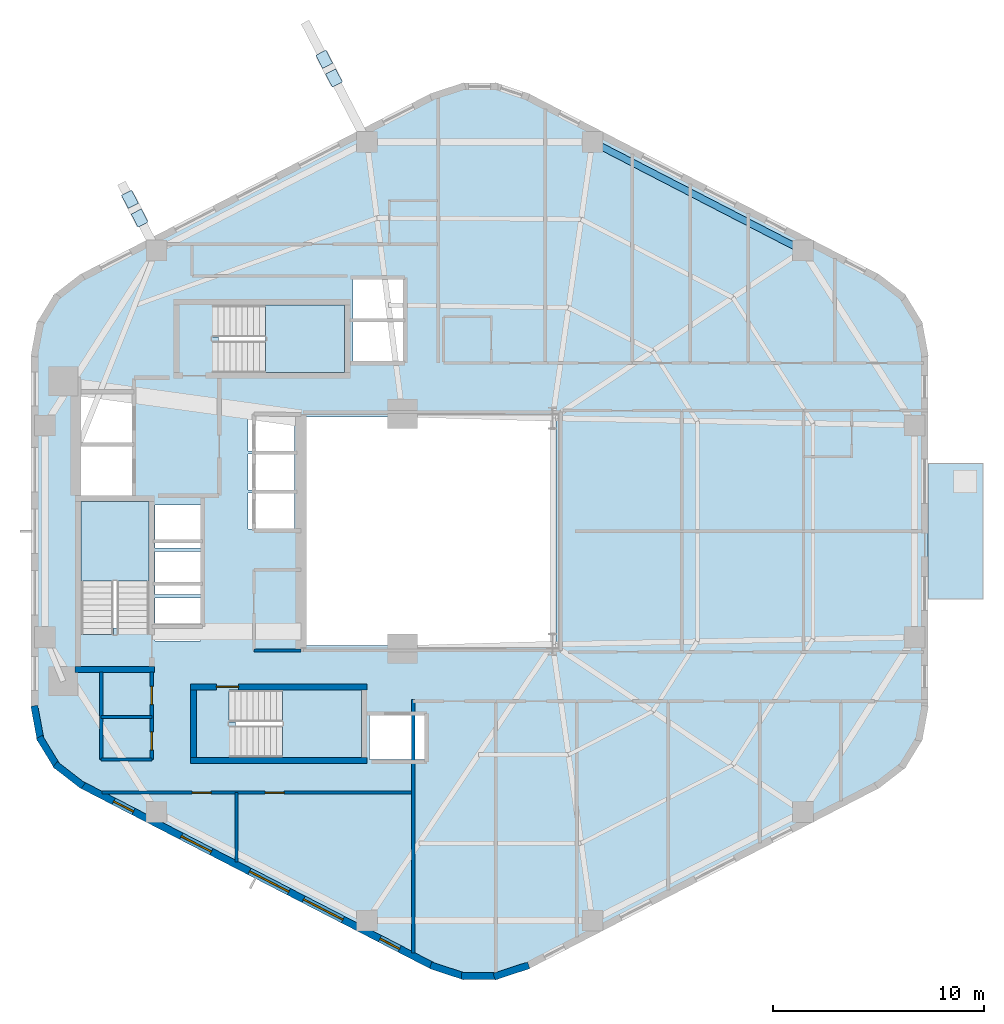
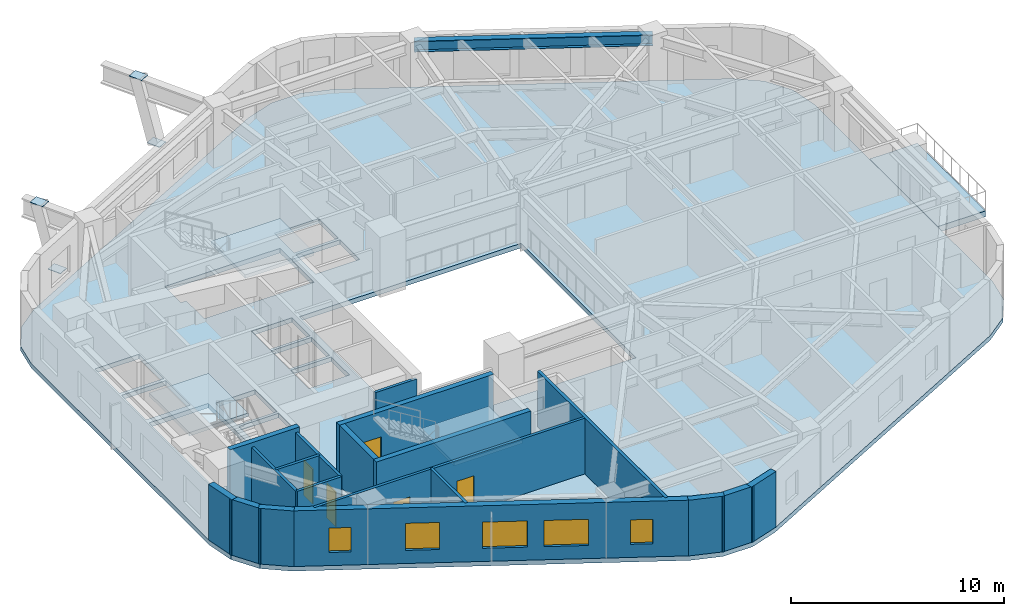
# One storey, part 2 of 8: 19 walls, 5 doors, 5 slabs, 5 windows, 4 plates, 1 beam, 10 openings, 3 elements without a shape of their own.
"""IFC4 building model written with IfcOpenShell, lengths in metres."""

from ifc_helpers import new_model, si_unit, direction, frame, frame_2d, origin, origin_2d, place, context, subcontext, project, spatial, polyline, rectangle, i_section, outline, extrude, material, layer, layer_set, material_profile, profile_set, type_object, element, fill, aggregate, save


model = new_model("IFC4")

# Units and contexts
model_context = context("Model", 3, precision=1e-05, world=origin(), true_north=direction((0.0, 1.0)))
body_context = subcontext(model_context, "Body", "Model", "MODEL_VIEW")
ifc_project = project(units=[si_unit("LENGTHUNIT", "METRE"), si_unit("AREAUNIT", "SQUARE_METRE"), si_unit("VOLUMEUNIT", "CUBIC_METRE"), si_unit("PLANEANGLEUNIT", "RADIAN"), si_unit("MASSUNIT", "GRAM", prefix="KILO"), si_unit("THERMODYNAMICTEMPERATUREUNIT", "KELVIN"), si_unit("POWERUNIT", "WATT")], contexts=[model_context])

# Site, building, storey
site_placement = place(None, origin())
site = spatial("IfcSite", under=ifc_project, at=site_placement, CompositionType="ELEMENT")
building_placement = place(site_placement, origin())
building = spatial("IfcBuilding", under=site, at=building_placement, Name="Skarre Station Tower", CompositionType="ELEMENT")
storey_placement = place(building_placement, frame((0.0, 0.0, 125.699951171875)))
storey = spatial("IfcBuildingStorey", under=building, at=storey_placement, Name="L33", CompositionType="ELEMENT", Elevation=125.699951171875)

# Beam
ifc_material_1 = material(Name="Steel ASTM A992 Grade 50", Category="steel")
ifc_material_profile = material_profile(ifc_material_1, i_section(OverallWidth=0.327880859375, OverallDepth=0.6279296875, WebThickness=0.01708984375, FlangeThickness=0.028076171875, at=origin_2d()), Name="Steel ASTM A992 Grade 50")
ifc_profile_set = profile_set([ifc_material_profile], Name="Steel ASTM A992 Grade 50")
beam_type = type_object("IfcBeamType", Name="Steel Spandrel W24X146", PredefinedType="SPANDREL", material=ifc_profile_set)
beam_placement = place(storey_placement, frame((51.291015625, 37.277099609375, 2.8759765625), z_axis=(-0.888611779493, 0.458660119639, 0.0), x_axis=(-0.458660119639, -0.888611779493, 0.0)))
element("IfcBeam", 1, at=beam_placement, inside=storey, type_object=beam_type, Name="L33 Facet Spandrel Beam 1", PredefinedType="SPANDREL", context=body_context, shape_type="SweptSolid", body=[
    extrude(i_section(OverallWidth=0.327880859375, OverallDepth=0.6279296875, WebThickness=0.01708984375, FlangeThickness=0.028076171875, at=origin_2d()), origin(), (0.0, 0.0, 1.0), 11.20849609375),
])

# Plates
ifc_material_2 = material(Name="Steel ASTM A572 Grade 50", Category="steel")
ifc_layer_1 = layer(ifc_material_2, 0.031982421875, Name="Steel ASTM A572 Grade 50")
ifc_layer_set_1 = layer_set([ifc_layer_1], Name="Steel ASTM A572 Grade 50")
plate_type = type_object("IfcPlateType", Name="Exoskeleton Strut Cap Plate 700x540x32", PredefinedType="USERDEFINED", material=ifc_layer_set_1)
for number, where, z_axis, x_axis, name in (
    (2, (29.110107421875, 45.43896484375, -0.2861328125), (0.0, 0.0, 1.0), (-0.458649554484, 0.888617232655, 0.0), "L33 SB-3 Exoskeleton Tier-1 Base Gusset S1"),
    (3, (28.65087890625, 46.327880859375, 3.1640625), (0.0, 0.0, 1.0), (-0.458649554484, 0.888617232655, 0.0), "L33 SB-3 Exoskeleton Tier-1 Head Gusset S1"),
    (4, (19.916015625, 38.81396484375, -0.2861328125), (0.0, 0.0, 1.0), (-0.458649554484, 0.888617232655, 0.0), "L33 SB-3 Exoskeleton Tier-1 Base Gusset S2"),
    (5, (19.45703125, 39.702880859375, 3.1640625), (0.0, 0.0, 1.0), (-0.458649554484, 0.888617232655, 0.0), "L33 SB-3 Exoskeleton Tier-1 Head Gusset S2"),
):
    element("IfcPlate", number, at=place(storey_placement, frame(where, z_axis=z_axis, x_axis=x_axis)), inside=storey, type_object=plate_type, Name=name, ObjectType="STIFFENER_PLATE", PredefinedType="USERDEFINED", context=body_context, shape_type="SweptSolid", body=[
        extrude(rectangle(XDim=0.699951171875, YDim=0.5400390625, at=origin_2d()), origin(), (0.0, 0.0, 1.0), 0.031982421875),
    ])

# Slab
ifc_material_3 = material(Name="Precast concrete C50/60", Category="concrete")
ifc_layer_2 = layer(ifc_material_3, 0.340087890625, Name="Precast concrete C50/60")
ifc_layer_set_2 = layer_set([ifc_layer_2], Name="Precast concrete C50/60")
slab_type_1 = type_object("IfcSlabType", Name="Planted Tree-Balcony Cantilever Slab 340", PredefinedType="FLOOR", material=ifc_layer_set_2)
slab_1_placement = place(storey_placement, frame((0.0, 0.0, -0.33984375)))
element("IfcSlab", 6, at=slab_1_placement, inside=storey, type_object=slab_type_1, Name="L33 Planted Tree-Balcony Deck TB-L33-F5", PredefinedType="FLOOR", context=body_context, shape_type="SweptSolid", body=[
    extrude(outline(polyline([(57.22802734375, 20.800048828125), (57.22802734375, 27.199951171875), (59.818115234375, 27.199951171875), (59.818115234375, 20.800048828125), (57.22802734375, 20.800048828125)])), origin(), (0.0, 0.0, 1.0), 0.33984375),
])

# Stair, slab
ifc_material_4 = material(Name="Concrete C40/50", Category="concrete")
stair_type_1 = type_object("IfcStairType", Name="Reinforced Concrete Exit Stair ST-1", PredefinedType="HALF_TURN_STAIR", material=ifc_material_4)
stair_1_placement = place(storey_placement, origin())
stair_1 = element("IfcStair", 7, at=stair_1_placement, inside=storey, type_object=stair_type_1, Name="L33 Core Exit Stair ST-1", PredefinedType="HALF_TURN_STAIR")
ifc_layer_3 = layer(ifc_material_4, 0.219970703125, Name="Concrete C40/50")
ifc_layer_set_3 = layer_set([ifc_layer_3], Name="Concrete C40/50")
slab_type_2 = type_object("IfcSlabType", Name="Reinforced Concrete Stair & Ramp Landing 220", PredefinedType="LANDING", material=ifc_layer_set_3)
slab_2_placement = place(storey_placement, frame((0.0, 0.0, 1.525146484375)))
slab_2 = element("IfcSlab", 8, at=slab_2_placement, type_object=slab_type_2, Name="ST-1 landing 1", PredefinedType="LANDING", context=body_context, shape_type="SweptSolid", body=[
    extrude(outline(polyline([(20.35009765625, 21.639892578125), (20.35009765625, 25.39990234375), (17.14990234375, 25.39990234375), (17.14990234375, 21.639892578125), (20.35009765625, 21.639892578125)])), origin(), (0.0, 0.0, 1.0), 0.199951171875),
])
aggregate(stair_1, [slab_2])

stair_type_2 = type_object("IfcStairType", Name="Reinforced Concrete Exit Stair ST-2", PredefinedType="HALF_TURN_STAIR", material=ifc_material_4)
stair_2_placement = place(storey_placement, origin())
stair_2 = element("IfcStair", 9, at=stair_2_placement, inside=storey, type_object=stair_type_2, Name="L33 Core Exit Stair ST-2", PredefinedType="HALF_TURN_STAIR")
slab_3_placement = place(storey_placement, frame((0.0, 0.0, 1.525146484375)))
slab_3 = element("IfcSlab", 10, at=slab_3_placement, type_object=slab_type_2, Name="ST-2 landing 1", PredefinedType="LANDING", context=body_context, shape_type="SweptSolid", body=[
    extrude(outline(polyline([(26.669921875, 13.300048828125), (30.39990234375, 13.300048828125), (30.39990234375, 16.5), (26.669921875, 16.5), (26.669921875, 13.300048828125)])), origin(), (0.0, 0.0, 1.0), 0.199951171875),
])
aggregate(stair_2, [slab_3])

stair_type_3 = type_object("IfcStairType", Name="Reinforced Concrete Exit Stair ST-3", PredefinedType="HALF_TURN_STAIR", material=ifc_material_4)
stair_3_placement = place(storey_placement, origin())
stair_3 = element("IfcStair", 11, at=stair_3_placement, inside=storey, type_object=stair_type_3, Name="L33 Core Exit Stair ST-3", PredefinedType="HALF_TURN_STAIR")
slab_4_placement = place(storey_placement, frame((0.0, 0.0, 1.525146484375)))
slab_4 = element("IfcSlab", 12, at=slab_4_placement, type_object=slab_type_2, Name="ST-3 landing 1", PredefinedType="LANDING", context=body_context, shape_type="SweptSolid", body=[
    extrude(outline(polyline([(25.8701171875, 31.5), (29.60009765625, 31.5), (29.60009765625, 34.699951171875), (25.8701171875, 34.699951171875), (25.8701171875, 31.5)])), origin(), (0.0, 0.0, 1.0), 0.199951171875),
])
aggregate(stair_3, [slab_4])

# Slab
ifc_material_5 = material(Name="Concrete C50/60", Category="concrete")
ifc_layer_4 = layer(ifc_material_5, 0.260009765625, Name="Concrete C50/60")
ifc_layer_set_4 = layer_set([ifc_layer_4], Name="Concrete C50/60")
slab_type_3 = type_object("IfcSlabType", Name="Tower Typical Composite Floor Slab 260", PredefinedType="FLOOR", material=ifc_layer_set_4)
slab_5_placement = place(storey_placement, frame((0.0, 0.0, -0.260009765625)))
element("IfcSlab", 13, at=slab_5_placement, inside=storey, type_object=slab_type_3, Name="L33 Zone 2 Structural Floor Slab", PredefinedType="FLOOR", context=body_context, shape_type="SweptSolid", body=[
    extrude(outline(polyline([(57.218017578125, 32.35205078125), (56.93701171875, 33.873046875), (56.132080078125, 35.194091796875), (54.908935546875, 36.14111328125), (38.30908203125, 44.708984375), (36.7958984375, 45.2060546875), (35.2041015625, 45.2060546875), (33.69091796875, 44.708984375), (17.091064453125, 36.14111328125), (15.867919921875, 35.194091796875), (15.06298828125, 33.873046875), (14.781982421875, 32.35205078125), (14.781982421875, 15.64794921875), (15.06298828125, 14.126953125), (15.867919921875, 12.805908203125), (17.091064453125, 11.85888671875), (33.69091796875, 3.291015625), (35.2041015625, 2.7939453125), (36.7958984375, 2.7939453125), (38.30908203125, 3.291015625), (54.908935546875, 11.85888671875), (56.132080078125, 12.805908203125), (56.93701171875, 14.126953125), (57.218017578125, 15.64794921875), (57.218017578125, 32.35205078125)]), holes=[polyline([(18.669921875, 19.419921875), (18.669921875, 19.123046875), (17.14990234375, 19.123046875), (17.14990234375, 25.39990234375), (20.35009765625, 25.39990234375), (20.35009765625, 19.419921875), (18.669921875, 19.419921875)]), polyline([(24.449951171875, 14.97998046875), (24.153076171875, 14.97998046875), (24.153076171875, 16.5), (30.39990234375, 16.5), (30.39990234375, 13.300048828125), (24.449951171875, 13.300048828125), (24.449951171875, 14.97998046875)]), polyline([(23.64990234375, 33.179931640625), (23.35302734375, 33.179931640625), (23.35302734375, 34.699951171875), (29.60009765625, 34.699951171875), (29.60009765625, 31.5), (23.64990234375, 31.5), (23.64990234375, 33.179931640625)]), polyline([(17.14990234375, 28.0), (19.550048828125, 28.0), (19.550048828125, 25.699951171875), (17.14990234375, 25.699951171875), (17.14990234375, 28.0)]), polyline([(17.14990234375, 30.5), (19.550048828125, 30.5), (19.550048828125, 28.199951171875), (17.14990234375, 28.199951171875), (17.14990234375, 30.5)]), polyline([(30.800048828125, 15.300048828125), (33.39990234375, 15.300048828125), (33.39990234375, 13.199951171875), (30.800048828125, 13.199951171875), (30.800048828125, 15.300048828125)]), polyline([(25.050048828125, 25.800048828125), (27.25, 25.800048828125), (27.25, 24.10009765625), (25.050048828125, 24.10009765625), (25.050048828125, 25.800048828125)]), polyline([(25.050048828125, 27.64990234375), (27.25, 27.64990234375), (27.25, 25.949951171875), (25.050048828125, 25.949951171875), (25.050048828125, 27.64990234375)]), polyline([(25.050048828125, 29.5), (27.25, 29.5), (27.25, 27.800048828125), (25.050048828125, 27.800048828125), (25.050048828125, 29.5)]), polyline([(20.64990234375, 20.85009765625), (22.800048828125, 20.85009765625), (22.800048828125, 18.800048828125), (20.64990234375, 18.800048828125), (20.64990234375, 20.85009765625)]), polyline([(20.64990234375, 23.050048828125), (22.800048828125, 23.050048828125), (22.800048828125, 21.0), (20.64990234375, 21.0), (20.64990234375, 23.050048828125)]), polyline([(20.64990234375, 25.25), (22.800048828125, 25.25), (22.800048828125, 23.199951171875), (20.64990234375, 23.199951171875), (20.64990234375, 25.25)]), polyline([(30.0, 33.89990234375), (32.39990234375, 33.89990234375), (32.39990234375, 32.050048828125), (30.0, 32.050048828125), (30.0, 33.89990234375)]), polyline([(30.0, 35.89990234375), (32.39990234375, 35.89990234375), (32.39990234375, 34.050048828125), (30.0, 34.050048828125), (30.0, 35.89990234375)]), polyline([(27.60009765625, 29.39990234375), (39.60009765625, 29.39990234375), (39.60009765625, 18.60009765625), (27.60009765625, 18.60009765625), (27.60009765625, 29.39990234375)])]), origin(), (0.0, 0.0, 1.0), 0.260009765625),
])

# Walls
ifc_material_6 = material(Name="Acoustic Steel-Stud Gypsum Partition", Category="steel")
ifc_layer_5 = layer(ifc_material_6, 0.14990234375, Name="Acoustic Steel-Stud Gypsum Partition")
ifc_layer_set_5 = layer_set([ifc_layer_5], Name="Acoustic Steel-Stud Gypsum Partition")
wall_type_1 = type_object("IfcWallType", Name="Fire-Rated Corridor Acoustic Partition 150", PredefinedType="PARTITIONING", material=ifc_layer_set_5)
wall_1_placement = place(storey_placement, frame((25.320068359375, 18.360107421875, 0.0), z_axis=(0.0, 0.0, 1.0), x_axis=(1.0, 0.0, 0.0)))
element("IfcWall", 14, at=wall_1_placement, inside=storey, type_object=wall_type_1, Name="L33 Interior Partition WL-PT-L33-RC1-S", PredefinedType="PARTITIONING", context=body_context, shape_type="SweptSolid", body=[
    extrude(rectangle(XDim=2.22998046875, YDim=0.14990234375, at=frame_2d((1.114990234375, 0.0))), origin(), (0.0, 0.0, 1.0), 3.18994140625),
])
wall_2_placement = place(storey_placement, frame((18.10009765625, 17.340087890625, 0.0), z_axis=(0.0, 0.0, 1.0), x_axis=(0.0, -1.0, 0.0)))
element("IfcWall", 15, at=wall_2_placement, inside=storey, type_object=wall_type_1, Name="L33 Interior Partition WL-PT-L33-CSVC-W", PredefinedType="PARTITIONING", context=body_context, shape_type="SweptSolid", body=[
    extrude(rectangle(XDim=4.14013671875, YDim=0.14990234375, at=frame_2d((2.070068359375, 0.0))), origin(), (0.0, 0.0, 1.0), 3.18994140625),
])
for number, where, z_axis, x_axis, name in (
    (16, (18.10009765625, 13.199951171875, 0.0), (0.0, 0.0, 1.0), (1.0, 0.0, 0.0), "L33 Interior Partition WL-PT-L33-CSVC-S"),
    (17, (18.10009765625, 15.219970703125, 0.0), (0.0, 0.0, 1.0), (1.0, 0.0, 0.0), "L33 Interior Partition WL-PT-L33-CSVC-M"),
):
    element("IfcWall", number, at=place(storey_placement, frame(where, z_axis=z_axis, x_axis=x_axis)), inside=storey, type_object=wall_type_1, Name=name, PredefinedType="PARTITIONING", context=body_context, shape_type="SweptSolid", body=[
        extrude(rectangle(XDim=2.389892578125, YDim=0.14990234375, at=frame_2d((1.19482421875, 0.0))), origin(), (0.0, 0.0, 1.0), 3.18994140625),
    ])

# Wall, openings, doors
wall_3_placement = place(storey_placement, frame((20.489990234375, 13.199951171875, 0.0), z_axis=(0.0, 0.0, 1.0), x_axis=(0.0, 1.0, 0.0)))
wall_3 = element("IfcWall", 18, at=wall_3_placement, inside=storey, type_object=wall_type_1, Name="L33 Interior Partition WL-PT-L33-CSVC-E", PredefinedType="PARTITIONING", context=body_context, shape_type="SweptSolid", body=[
    extrude(rectangle(XDim=4.14013671875, YDim=0.14990234375, at=frame_2d((2.070068359375, 0.0))), origin(), (0.0, 0.0, 1.0), 3.18994140625),
])
opening_1_placement = place(wall_3_placement, frame((0.449951171875, 0.0, 0.0)))
opening_1 = element("IfcOpeningElement", 19, at=opening_1_placement, cuts=wall_3, Name="Opening DR-SVC86", PredefinedType="OPENING", context=body_context, shape_type="SweptSolid", body=[
    extrude(rectangle(XDim=0.860107421875, YDim=2.0, at=frame_2d((0.43017578125, 1.0))), frame((0.0, 0.0849609375, 0.0), z_axis=(0.0, -1.0, 0.0), x_axis=(1.0, 0.0, 0.0)), (0.0, 0.0, 1.0), 0.169921875),
])
opening_2_placement = place(wall_3_placement, frame((2.60009765625, 0.0, 0.0)))
opening_2 = element("IfcOpeningElement", 20, at=opening_2_placement, cuts=wall_3, Name="Opening DR-SVC86", PredefinedType="OPENING", context=body_context, shape_type="SweptSolid", body=[
    extrude(rectangle(XDim=0.860107421875, YDim=2.0, at=frame_2d((0.43017578125, 1.0))), frame((0.0, 0.0849609375, 0.0), z_axis=(0.0, -1.0, 0.0), x_axis=(1.0, 0.0, 0.0)), (0.0, 0.0, 1.0), 0.169921875),
])
ifc_material_7 = material(Name="Powder-Coated Hollow-Metal Acoustic Fire Leaf", Category="steel")
door_type_1 = type_object("IfcDoorType", Name="Compact Riser Fire Door FD60 860x2100", OperationType="SINGLE_SWING_LEFT", PredefinedType="DOOR", material=ifc_material_7)
door_1_placement = place(opening_1_placement, origin())
door_1 = element("IfcDoor", 21, at=door_1_placement, inside=storey, type_object=door_type_1, Name="L33 Vending Room Door", OperationType="SINGLE_SWING_LEFT", OverallHeight=2.0, OverallWidth=0.860107421875, PredefinedType="DOOR", context=body_context, shape_type="SweptSolid", body=[
    extrude(rectangle(XDim=0.860107421875, YDim=2.0, at=frame_2d((0.43017578125, 1.0))), frame((0.0, 0.02490234375, 0.0), z_axis=(0.0, -1.0, 0.0), x_axis=(1.0, 0.0, 0.0)), (0.0, 0.0, 1.0), 0.050048828125),
])
fill(opening_1, door_1)
door_2_placement = place(opening_2_placement, origin())
door_2 = element("IfcDoor", 22, at=door_2_placement, inside=storey, type_object=door_type_1, Name="L33 Linen Storage Door", OperationType="SINGLE_SWING_LEFT", OverallHeight=2.0, OverallWidth=0.860107421875, PredefinedType="DOOR", context=body_context, shape_type="SweptSolid", body=[
    extrude(rectangle(XDim=0.860107421875, YDim=2.0, at=frame_2d((0.43017578125, 1.0))), frame((0.0, 0.02490234375, 0.0), z_axis=(0.0, -1.0, 0.0), x_axis=(1.0, 0.0, 0.0)), (0.0, 0.0, 1.0), 0.050048828125),
])
fill(opening_2, door_2)

# Wall
wall_4_placement = place(storey_placement, frame((24.5, 8.35009765625, 0.0), z_axis=(0.0, 0.0, 1.0), x_axis=(0.0, 1.0, 0.0)))
element("IfcWall", 23, at=wall_4_placement, inside=storey, type_object=wall_type_1, Name="L33 Interior Partition WL-PT-L33-SWP-M", PredefinedType="PARTITIONING", context=body_context, shape_type="SweptSolid", body=[
    extrude(rectangle(XDim=3.289794921875, YDim=0.14990234375, at=frame_2d((1.64501953125, 0.0))), origin(), (0.0, 0.0, 1.0), 3.18994140625),
])

# Wall, openings, doors
wall_5_placement = place(storey_placement, frame((18.1259765625, 11.639892578125, 0.0), z_axis=(0.0, 0.0, 1.0), x_axis=(1.0, 0.0, 0.0)))
wall_5 = element("IfcWall", 24, at=wall_5_placement, inside=storey, type_object=wall_type_1, Name="L33 Interior Partition WL-PT-L33-SWP-N", PredefinedType="PARTITIONING", context=body_context, shape_type="SweptSolid", body=[
    extrude(rectangle(XDim=14.72412109375, YDim=0.14990234375, at=frame_2d((7.362060546875, 0.0))), origin(), (0.0, 0.0, 1.0), 3.18994140625),
])
opening_3_placement = place(wall_5_placement, frame((4.27392578125, 0.0, 0.0)))
opening_3 = element("IfcOpeningElement", 25, at=opening_3_placement, cuts=wall_5, Name="Opening DR-SVC90", PredefinedType="OPENING", context=body_context, shape_type="SweptSolid", body=[
    extrude(rectangle(XDim=0.89990234375, YDim=2.0, at=frame_2d((0.449951171875, 1.0))), frame((0.0, 0.0849609375, 0.0), z_axis=(0.0, -1.0, 0.0), x_axis=(1.0, 0.0, 0.0)), (0.0, 0.0, 1.0), 0.169921875),
])
opening_4_placement = place(wall_5_placement, frame((7.72412109375, 0.0, 0.0)))
opening_4 = element("IfcOpeningElement", 26, at=opening_4_placement, cuts=wall_5, Name="Opening DR-SVC90", PredefinedType="OPENING", context=body_context, shape_type="SweptSolid", body=[
    extrude(rectangle(XDim=0.89990234375, YDim=2.0, at=frame_2d((0.449951171875, 1.0))), frame((0.0, 0.0849609375, 0.0), z_axis=(0.0, -1.0, 0.0), x_axis=(1.0, 0.0, 0.0)), (0.0, 0.0, 1.0), 0.169921875),
])
door_type_2 = type_object("IfcDoorType", Name="Service & Riser Fire Door FD60 900x2100", OperationType="SINGLE_SWING_LEFT", PredefinedType="DOOR", material=ifc_material_7)
door_3_placement = place(opening_3_placement, origin())
door_3 = element("IfcDoor", 27, at=door_3_placement, inside=storey, type_object=door_type_2, Name="L33 Floor Public Toilets Door", OperationType="SINGLE_SWING_LEFT", OverallHeight=2.0, OverallWidth=0.89990234375, PredefinedType="DOOR", context=body_context, shape_type="SweptSolid", body=[
    extrude(rectangle(XDim=0.89990234375, YDim=2.0, at=frame_2d((0.449951171875, 1.0))), frame((0.0, 0.02490234375, 0.0), z_axis=(0.0, -1.0, 0.0), x_axis=(1.0, 0.0, 0.0)), (0.0, 0.0, 1.0), 0.050048828125),
])
fill(opening_3, door_3)
door_4_placement = place(opening_4_placement, origin())
door_4 = element("IfcDoor", 28, at=door_4_placement, inside=storey, type_object=door_type_2, Name="L33 Housekeeping Room Door", OperationType="SINGLE_SWING_LEFT", OverallHeight=2.0, OverallWidth=0.89990234375, PredefinedType="DOOR", context=body_context, shape_type="SweptSolid", body=[
    extrude(rectangle(XDim=0.89990234375, YDim=2.0, at=frame_2d((0.449951171875, 1.0))), frame((0.0, 0.02490234375, 0.0), z_axis=(0.0, -1.0, 0.0), x_axis=(1.0, 0.0, 0.0)), (0.0, 0.0, 1.0), 0.050048828125),
])
fill(opening_4, door_4)

# Wall, openings, windows
ifc_material_8 = material(Name="Precast concrete C45/55", Category="concrete")
ifc_layer_6 = layer(ifc_material_8, 0.340087890625, Name="Precast concrete C45/55")
ifc_layer_set_6 = layer_set([ifc_layer_6], Name="Precast concrete C45/55")
wall_type_2 = type_object("IfcWallType", Name="Nordic Honed Precast Facet Wall 340", PredefinedType="STANDARD", material=ifc_layer_set_6)
wall_6_placement = place(storey_placement, frame((33.76904296875, 3.44189453125, 0.0), z_axis=(0.0, 0.0, 1.0), x_axis=(-0.888613612362, 0.458656568606, 0.0)))
wall_6 = element("IfcWall", 29, at=wall_6_placement, inside=storey, type_object=wall_type_2, Name="L33 Facet 3 Nordic Precast Masonry Wall", PredefinedType="STANDARD", context=body_context, shape_type="SweptSolid", body=[
    extrude(rectangle(XDim=18.680908203125, YDim=0.340087890625, at=frame_2d((9.34033203125, 0.0))), origin(), (0.0, 0.0, 1.0), 3.18994140625),
])
opening_5_placement = place(wall_6_placement, frame((1.75, 0.0, 0.75)))
opening_5 = element("IfcOpeningElement", 30, at=opening_5_placement, cuts=wall_6, Name="Opening WN-SLT", PredefinedType="OPENING", context=body_context, shape_type="SweptSolid", body=[
    extrude(rectangle(XDim=1.050048828125, YDim=1.39990234375, at=frame_2d((0.52490234375, 0.699951171875))), frame((0.0, 0.179931640625, 0.0), z_axis=(0.0, -1.0, 0.0), x_axis=(1.0, 0.0, 0.0)), (0.0, 0.0, 1.0), 0.360107421875),
])
opening_6_placement = place(wall_6_placement, frame((4.764892578125, 0.0, 0.75)))
opening_6 = element("IfcOpeningElement", 31, at=opening_6_placement, cuts=wall_6, Name="Opening WN-Z2B", PredefinedType="OPENING", context=body_context, shape_type="SweptSolid", body=[
    extrude(rectangle(XDim=2.10009765625, YDim=1.5, at=frame_2d((1.050048828125, 0.75))), frame((0.0, 0.179931640625, 0.0), z_axis=(0.0, -1.0, 0.0), x_axis=(1.0, 0.0, 0.0)), (0.0, 0.0, 1.0), 0.360107421875),
])
opening_7_placement = place(wall_6_placement, frame((7.64404296875, 0.0, 0.75)))
opening_7 = element("IfcOpeningElement", 32, at=opening_7_placement, cuts=wall_6, Name="Opening WN-Z2B", PredefinedType="OPENING", context=body_context, shape_type="SweptSolid", body=[
    extrude(rectangle(XDim=2.10009765625, YDim=1.5, at=frame_2d((1.050048828125, 0.75))), frame((0.0, 0.179931640625, 0.0), z_axis=(0.0, -1.0, 0.0), x_axis=(1.0, 0.0, 0.0)), (0.0, 0.0, 1.0), 0.360107421875),
])
opening_8_placement = place(wall_6_placement, frame((11.77392578125, 0.0, 0.75)))
opening_8 = element("IfcOpeningElement", 33, at=opening_8_placement, cuts=wall_6, Name="Opening WN-Z2A", PredefinedType="OPENING", context=body_context, shape_type="SweptSolid", body=[
    extrude(rectangle(XDim=1.60009765625, YDim=1.550048828125, at=frame_2d((0.800048828125, 0.77490234375))), frame((0.0, 0.179931640625, 0.0), z_axis=(0.0, -1.0, 0.0), x_axis=(1.0, 0.0, 0.0)), (0.0, 0.0, 1.0), 0.360107421875),
])
opening_9_placement = place(wall_6_placement, frame((15.919921875, 0.0, 0.75)))
opening_9 = element("IfcOpeningElement", 34, at=opening_9_placement, cuts=wall_6, Name="Opening WN-SLT", PredefinedType="OPENING", context=body_context, shape_type="SweptSolid", body=[
    extrude(rectangle(XDim=1.050048828125, YDim=1.39990234375, at=frame_2d((0.52490234375, 0.699951171875))), frame((0.0, 0.179931640625, 0.0), z_axis=(0.0, -1.0, 0.0), x_axis=(1.0, 0.0, 0.0)), (0.0, 0.0, 1.0), 0.360107421875),
])
ifc_material_9 = material(Name="Low-Iron Triple Glazing with Bronze Anodized Frame", Category="glass")
window_type_1 = type_object("IfcWindowType", Name="Nordic Corner Slot Window 1050x1400", PartitioningType="SINGLE_PANEL", PredefinedType="WINDOW", material=ifc_material_9)
window_1_placement = place(opening_5_placement, origin())
window_1 = element("IfcWindow", 35, at=window_1_placement, inside=storey, type_object=window_type_1, Name="L33 Facade Window WL-FAC-L33-F3-1", OverallHeight=1.39990234375, OverallWidth=1.050048828125, PartitioningType="SINGLE_PANEL", PredefinedType="WINDOW", context=body_context, shape_type="SweptSolid", body=[
    extrude(rectangle(XDim=1.050048828125, YDim=1.39990234375, at=frame_2d((0.52490234375, 0.699951171875))), frame((0.0, 0.030029296875, 0.0), z_axis=(0.0, -1.0, 0.0), x_axis=(1.0, 0.0, 0.0)), (0.0, 0.0, 1.0), 0.06005859375),
])
fill(opening_5, window_1)
window_2_placement = place(opening_9_placement, origin())
window_2 = element("IfcWindow", 36, at=window_2_placement, inside=storey, type_object=window_type_1, Name="L33 Facade Window WL-FAC-L33-F3-5", OverallHeight=1.39990234375, OverallWidth=1.050048828125, PartitioningType="SINGLE_PANEL", PredefinedType="WINDOW", context=body_context, shape_type="SweptSolid", body=[
    extrude(rectangle(XDim=1.050048828125, YDim=1.39990234375, at=frame_2d((0.52490234375, 0.699951171875))), frame((0.0, 0.030029296875, 0.0), z_axis=(0.0, -1.0, 0.0), x_axis=(1.0, 0.0, 0.0)), (0.0, 0.0, 1.0), 0.06005859375),
])
fill(opening_9, window_2)
window_type_2 = type_object("IfcWindowType", Name="Nordic Residential Tall Window 1600x1550", PartitioningType="SINGLE_PANEL", PredefinedType="WINDOW", material=ifc_material_9)
window_3_placement = place(opening_8_placement, origin())
window_3 = element("IfcWindow", 37, at=window_3_placement, inside=storey, type_object=window_type_2, Name="L33 Facade Window WL-FAC-L33-F3-4", OverallHeight=1.550048828125, OverallWidth=1.60009765625, PartitioningType="SINGLE_PANEL", PredefinedType="WINDOW", context=body_context, shape_type="SweptSolid", body=[
    extrude(rectangle(XDim=1.60009765625, YDim=1.550048828125, at=frame_2d((0.800048828125, 0.77490234375))), frame((0.0, 0.030029296875, 0.0), z_axis=(0.0, -1.0, 0.0), x_axis=(1.0, 0.0, 0.0)), (0.0, 0.0, 1.0), 0.06005859375),
])
fill(opening_8, window_3)
window_type_3 = type_object("IfcWindowType", Name="Nordic Residential Twin Window 2100x1500", PartitioningType="SINGLE_PANEL", PredefinedType="WINDOW", material=ifc_material_9)
window_4_placement = place(opening_6_placement, origin())
window_4 = element("IfcWindow", 38, at=window_4_placement, inside=storey, type_object=window_type_3, Name="L33 Facade Window WL-FAC-L33-F3-2", OverallHeight=1.5, OverallWidth=2.10009765625, PartitioningType="SINGLE_PANEL", PredefinedType="WINDOW", context=body_context, shape_type="SweptSolid", body=[
    extrude(rectangle(XDim=2.10009765625, YDim=1.5, at=frame_2d((1.050048828125, 0.75))), frame((0.0, 0.030029296875, 0.0), z_axis=(0.0, -1.0, 0.0), x_axis=(1.0, 0.0, 0.0)), (0.0, 0.0, 1.0), 0.06005859375),
])
fill(opening_6, window_4)
window_5_placement = place(opening_7_placement, origin())
window_5 = element("IfcWindow", 39, at=window_5_placement, inside=storey, type_object=window_type_3, Name="L33 Facade Window WL-FAC-L33-F3-3", OverallHeight=1.5, OverallWidth=2.10009765625, PartitioningType="SINGLE_PANEL", PredefinedType="WINDOW", context=body_context, shape_type="SweptSolid", body=[
    extrude(rectangle(XDim=2.10009765625, YDim=1.5, at=frame_2d((1.050048828125, 0.75))), frame((0.0, 0.030029296875, 0.0), z_axis=(0.0, -1.0, 0.0), x_axis=(1.0, 0.0, 0.0)), (0.0, 0.0, 1.0), 0.06005859375),
])
fill(opening_7, window_5)

# Walls
ifc_layer_7 = layer(ifc_material_8, 0.330078125, Name="Precast concrete C45/55")
ifc_layer_set_7 = layer_set([ifc_layer_7], Name="Precast concrete C45/55")
wall_type_3 = type_object("IfcWallType", Name="Nordic Rounded Corner Precast Wall 330", PredefinedType="STANDARD", material=ifc_layer_set_7)
wall_7_placement = place(storey_placement, frame((17.242919921875, 11.949951171875, 0.0), z_axis=(0.0, 0.0, 1.0), x_axis=(-0.790621329885, 0.612305408053, 0.0)))
element("IfcWall", 40, at=wall_7_placement, inside=storey, type_object=wall_type_3, Name="L33 Rounded Corner Precast Wall F3-1", PredefinedType="STANDARD", context=body_context, shape_type="SweptSolid", body=[
    extrude(rectangle(XDim=1.67578125, YDim=0.330078125, at=frame_2d((0.837890625, 0.0))), origin(), (0.0, 0.0, 1.0), 3.18994140625),
])
wall_8_placement = place(storey_placement, frame((16.04296875, 12.8359375, 0.0), z_axis=(0.0, 0.0, 1.0), x_axis=(-0.520519429557, 0.853849824883, 0.0)))
element("IfcWall", 41, at=wall_8_placement, inside=storey, type_object=wall_type_3, Name="L33 Rounded Corner Precast Wall F3-2", PredefinedType="STANDARD", context=body_context, shape_type="SweptSolid", body=[
    extrude(rectangle(XDim=1.67724609375, YDim=0.330078125, at=frame_2d((0.838623046875, 0.0))), origin(), (0.0, 0.0, 1.0), 3.18994140625),
])
wall_9_placement = place(storey_placement, frame((15.237060546875, 14.093017578125, 0.0), z_axis=(0.0, 0.0, 1.0), x_axis=(-0.181984991895, 0.983301308209, 0.0)))
element("IfcWall", 42, at=wall_9_placement, inside=storey, type_object=wall_type_3, Name="L33 Rounded Corner Precast Wall F3-3", PredefinedType="STANDARD", context=body_context, shape_type="SweptSolid", body=[
    extrude(rectangle(XDim=1.677001953125, YDim=0.330078125, at=frame_2d((0.83837890625, 0.0))), origin(), (0.0, 0.0, 1.0), 3.18994140625),
])
for number, where, z_axis, x_axis, name in (
    (43, (38.319091796875, 3.468017578125, 0.0), (0.0, 0.0, 1.0), (-0.949937416267, -0.312440242569, 0.0), "L33 Rounded Corner Precast Wall F4-1"),
    (44, (36.861083984375, 2.958984375, 0.0), (0.0, 0.0, 1.0), (-1.0, 0.0, 0.0), "L33 Rounded Corner Precast Wall F4-2"),
    (45, (35.31689453125, 2.929931640625, 0.0), (0.0, 0.0, 1.0), (-0.949937416267, 0.312440242569, 0.0), "L33 Rounded Corner Precast Wall F4-3"),
):
    element("IfcWall", number, at=place(storey_placement, frame(where, z_axis=z_axis, x_axis=x_axis)), inside=storey, type_object=wall_type_3, Name=name, PredefinedType="STANDARD", context=body_context, shape_type="SweptSolid", body=[
        extrude(rectangle(XDim=1.72216796875, YDim=0.330078125, at=frame_2d((0.861083984375, 0.0))), origin(), (0.0, 0.0, 1.0), 3.18994140625),
    ])
ifc_layer_8 = layer(ifc_material_5, 0.280029296875, Name="Concrete C50/60")
ifc_layer_set_8 = layer_set([ifc_layer_8], Name="Concrete C50/60")
wall_type_4 = type_object("IfcWallType", Name="RC Core Shear Wall 280", PredefinedType="SHEAR", material=ifc_layer_set_8)
wall_10_placement = place(storey_placement, frame((16.8701171875, 17.4599609375, 0.0), z_axis=(0.0, 0.0, 1.0), x_axis=(1.0, 0.0, 0.0)))
element("IfcWall", 46, at=wall_10_placement, inside=storey, type_object=wall_type_4, Name="L33 Stair ST-1 South Shear Wall", PredefinedType="SHEAR", context=body_context, shape_type="SweptSolid", body=[
    extrude(rectangle(XDim=3.759765625, YDim=0.280029296875, at=frame_2d((1.8798828125, 0.0))), origin(), (0.0, 0.0, 1.0), 3.449951171875),
])
wall_11_placement = place(storey_placement, frame((22.320068359375, 13.159912109375, 0.0), z_axis=(0.0, 0.0, 1.0), x_axis=(1.0, 0.0, 0.0)))
element("IfcWall", 47, at=wall_11_placement, inside=storey, type_object=wall_type_4, Name="L33 Stair ST-2 South Shear Wall", PredefinedType="SHEAR", context=body_context, shape_type="SweptSolid", body=[
    extrude(rectangle(XDim=8.35986328125, YDim=0.280029296875, at=frame_2d((4.179931640625, 0.0))), origin(), (0.0, 0.0, 1.0), 3.449951171875),
])

# Wall, opening, door
wall_12_placement = place(storey_placement, frame((30.679931640625, 16.639892578125, 0.0), z_axis=(0.0, 0.0, 1.0), x_axis=(-1.0, 0.0, 0.0)))
wall_12 = element("IfcWall", 48, at=wall_12_placement, inside=storey, type_object=wall_type_4, Name="L33 Stair ST-2 North Shear Wall", PredefinedType="SHEAR", context=body_context, shape_type="SweptSolid", body=[
    extrude(rectangle(XDim=8.35986328125, YDim=0.280029296875, at=frame_2d((4.179931640625, 0.0))), origin(), (0.0, 0.0, 1.0), 3.449951171875),
])
opening_10_placement = place(wall_12_placement, frame((6.080078125, 0.0, 0.0)))
opening_10 = element("IfcOpeningElement", 49, at=opening_10_placement, cuts=wall_12, Name="Opening DR-FD90", PredefinedType="OPENING", context=body_context, shape_type="SweptSolid", body=[
    extrude(rectangle(XDim=1.050048828125, YDim=2.0, at=frame_2d((0.52490234375, 1.0))), frame((0.0, 0.14990234375, 0.0), z_axis=(0.0, -1.0, 0.0), x_axis=(1.0, 0.0, 0.0)), (0.0, 0.0, 1.0), 0.300048828125),
])
ifc_material_10 = material(Name="Fire-Rated Insulated Steel Frame & Timber Core Leaf", Category="steel")
door_type_3 = type_object("IfcDoorType", Name="Stair & FSAE Lobby Fire Door FD90 1050x2150", OperationType="SINGLE_SWING_RIGHT", PredefinedType="DOOR", material=ifc_material_10)
door_5_placement = place(opening_10_placement, origin())
door_5 = element("IfcDoor", 50, at=door_5_placement, inside=storey, type_object=door_type_3, Name="L33 Stair ST-2 Exit Door", OperationType="SINGLE_SWING_RIGHT", OverallHeight=2.0, OverallWidth=1.050048828125, PredefinedType="DOOR", context=body_context, shape_type="SweptSolid", body=[
    extrude(rectangle(XDim=1.050048828125, YDim=2.0, at=frame_2d((0.52490234375, 1.0))), frame((0.0, 0.02490234375, 0.0), z_axis=(0.0, -1.0, 0.0), x_axis=(1.0, 0.0, 0.0)), (0.0, 0.0, 1.0), 0.050048828125),
])
fill(opening_10, door_5)

# Walls
wall_13_placement = place(storey_placement, frame((22.4599609375, 16.5, 0.0), z_axis=(0.0, 0.0, 1.0), x_axis=(0.0, -1.0, 0.0)))
element("IfcWall", 51, at=wall_13_placement, inside=storey, type_object=wall_type_4, Name="L33 Stair ST-2 West Shear Wall", PredefinedType="SHEAR", context=body_context, shape_type="SweptSolid", body=[
    extrude(rectangle(XDim=3.199951171875, YDim=0.280029296875, at=frame_2d((1.60009765625, 0.0))), origin(), (0.0, 0.0, 1.0), 3.449951171875),
])
ifc_layer_9 = layer(ifc_material_6, 0.1650390625, Name="Acoustic Steel-Stud Gypsum Partition")
ifc_layer_set_9 = layer_set([ifc_layer_9], Name="Acoustic Steel-Stud Gypsum Partition")
wall_type_5 = type_object("IfcWallType", Name="Suite Demising Acoustic Partition 165", PredefinedType="PARTITIONING", material=ifc_layer_set_9)
wall_14_placement = place(storey_placement, frame((32.85009765625, 4.0400390625, 0.0), z_axis=(0.0, 0.0, 1.0), x_axis=(0.0, 1.0, 0.0)))
element("IfcWall", 52, at=wall_14_placement, inside=storey, type_object=wall_type_5, Name="L33 Interior Partition WL-PT-L33-SWP-E", PredefinedType="PARTITIONING", context=body_context, shape_type="SweptSolid", body=[
    extrude(rectangle(XDim=11.989990234375, YDim=0.1650390625, at=frame_2d((5.9951171875, 0.0))), origin(), (0.0, 0.0, 1.0), 3.18994140625),
])

save(model, "model.ifc")
